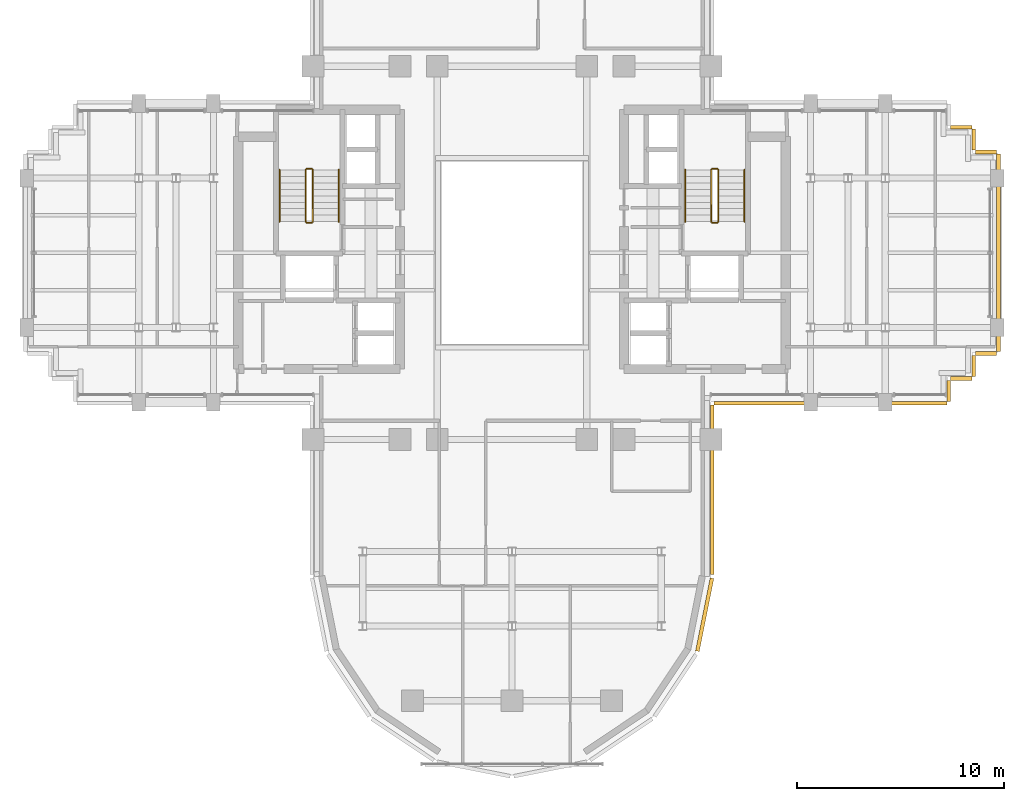
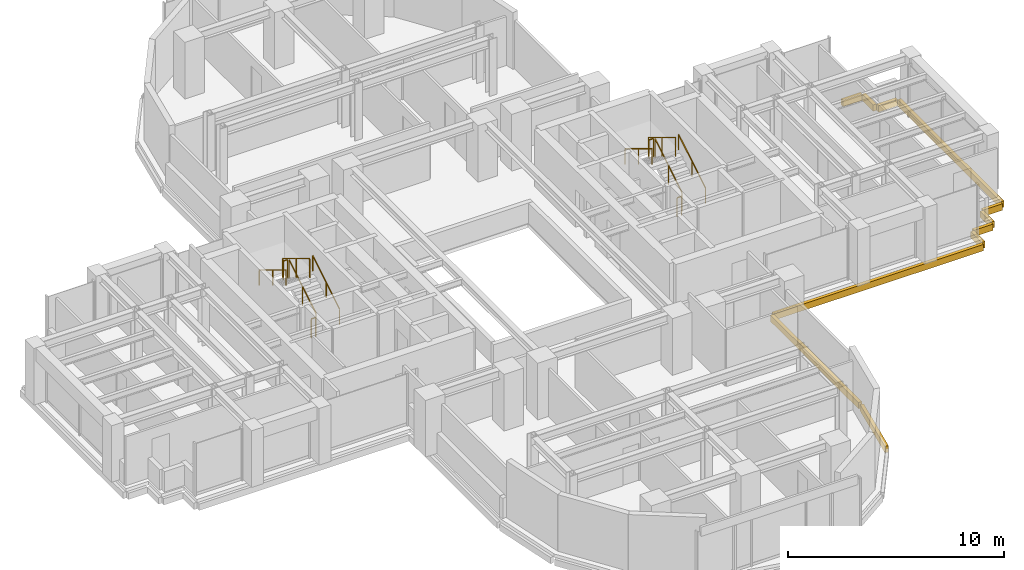
# One storey, part 13 of 14: 12 railings, 11 coverings.
"""IFC4 building model written with IfcOpenShell, lengths in metres."""

from ifc_helpers import new_model, si_unit, direction, frame, origin, origin_2d, place, context, subcontext, project, spatial, rectangle, extrude, source, transform, mapped, material, layer, layer_set, type_object, element, save


model = new_model("IFC4")

# Units and contexts
model_context = context("Model", 3, precision=1e-05, world=origin(), true_north=direction((0.0, 1.0)))
body_context = subcontext(model_context, "Body", "Model", "MODEL_VIEW")
ifc_project = project(units=[si_unit("LENGTHUNIT", "METRE"), si_unit("AREAUNIT", "SQUARE_METRE"), si_unit("VOLUMEUNIT", "CUBIC_METRE"), si_unit("PLANEANGLEUNIT", "RADIAN"), si_unit("MASSUNIT", "GRAM", prefix="KILO")], contexts=[model_context])

# Site, building, storey
site_placement = place(None, origin())
site = spatial("IfcSite", under=ifc_project, at=site_placement, CompositionType="ELEMENT")
building_placement = place(site_placement, origin())
building = spatial("IfcBuilding", under=site, at=building_placement, Name="Keilestroom Media Tower", CompositionType="ELEMENT")
storey_placement = place(building_placement, frame((0.0, 0.0, 124.39990234375)))
storey = spatial("IfcBuildingStorey", under=building, at=storey_placement, Name="L33", CompositionType="ELEMENT", Elevation=124.39990234375)

# Railings
ifc_material_1 = material(Name="Brushed Stainless Steel 1.4301", Category="steel")
railing_type_1 = type_object("IfcRailingType", Name="Stair-Pitch-Handrail-920", PredefinedType="HANDRAIL", material=ifc_material_1)
railing_1_placement = place(storey_placement, frame((-8.35009765625, 1.5, 0.18896484375)))
element("IfcRailing", 1, at=railing_1_placement, inside=storey, type_object=railing_type_1, Name="L33 ST-1 stair handrail 1", PredefinedType="HANDRAIL", context=body_context, shape_type="SweptSolid", body=[
    extrude(rectangle(XDim=0.048095703125, YDim=0.048095703125, at=origin_2d()), frame((0.0, 0.0, 0.8759765625), z_axis=(0.0, 0.855433747314, 0.517912255074), x_axis=(-1.0, 0.0, 0.0)), (0.0, 0.0, 1.0), 2.91796875),
    extrude(rectangle(XDim=0.0419921875, YDim=0.0419921875, at=origin_2d()), origin(), (0.0, 0.0, 1.0), 0.84375),
    extrude(rectangle(XDim=0.0419921875, YDim=0.0419921875, at=origin_2d()), frame((0.0, 1.248046875, 0.755615234375)), (0.0, 0.0, 1.0), 0.84375),
    extrude(rectangle(XDim=0.0419921875, YDim=0.0419921875, at=origin_2d()), frame((0.0, 2.49609375, 1.51123046875)), (0.0, 0.0, 1.0), 0.84375),
])
railing_2_placement = place(storey_placement, frame((-11.2099609375, 3.99609375, 1.888916015625)))
element("IfcRailing", 2, at=railing_2_placement, inside=storey, type_object=railing_type_1, Name="L33 ST-1 stair handrail 2", PredefinedType="HANDRAIL", context=body_context, shape_type="SweptSolid", body=[
    extrude(rectangle(XDim=0.048095703125, YDim=0.048095703125, at=origin_2d()), frame((0.0, 0.0, 0.8759765625), z_axis=(0.0, -0.855433747314, 0.517912255074), x_axis=(1.0, 0.0, 0.0)), (0.0, 0.0, 1.0), 2.91796875),
    extrude(rectangle(XDim=0.0419921875, YDim=0.0419921875, at=origin_2d()), origin(), (0.0, 0.0, 1.0), 0.84375),
    extrude(rectangle(XDim=0.0419921875, YDim=0.0419921875, at=origin_2d()), frame((0.0, -1.248046875, 0.755615234375)), (0.0, 0.0, 1.0), 0.84375),
    extrude(rectangle(XDim=0.0419921875, YDim=0.0419921875, at=origin_2d()), frame((0.0, -2.49609375, 1.51123046875)), (0.0, 0.0, 1.0), 0.84375),
])
railing_3_placement = place(storey_placement, frame((11.2099609375, 1.5, 0.18896484375)))
element("IfcRailing", 3, at=railing_3_placement, inside=storey, type_object=railing_type_1, Name="L33 ST-2 stair handrail 1", PredefinedType="HANDRAIL", context=body_context, shape_type="SweptSolid", body=[
    extrude(rectangle(XDim=0.048095703125, YDim=0.048095703125, at=origin_2d()), frame((0.0, 0.0, 0.8759765625), z_axis=(0.0, 0.855433747314, 0.517912255074), x_axis=(-1.0, 0.0, 0.0)), (0.0, 0.0, 1.0), 2.91796875),
    extrude(rectangle(XDim=0.0419921875, YDim=0.0419921875, at=origin_2d()), origin(), (0.0, 0.0, 1.0), 0.84375),
    extrude(rectangle(XDim=0.0419921875, YDim=0.0419921875, at=origin_2d()), frame((0.0, 1.248046875, 0.755615234375)), (0.0, 0.0, 1.0), 0.84375),
    extrude(rectangle(XDim=0.0419921875, YDim=0.0419921875, at=origin_2d()), frame((0.0, 2.49609375, 1.51123046875)), (0.0, 0.0, 1.0), 0.84375),
])
railing_4_placement = place(storey_placement, frame((8.35009765625, 3.99609375, 1.888916015625)))
element("IfcRailing", 4, at=railing_4_placement, inside=storey, type_object=railing_type_1, Name="L33 ST-2 stair handrail 2", PredefinedType="HANDRAIL", context=body_context, shape_type="SweptSolid", body=[
    extrude(rectangle(XDim=0.048095703125, YDim=0.048095703125, at=origin_2d()), frame((0.0, 0.0, 0.8759765625), z_axis=(0.0, -0.855433747314, 0.517912255074), x_axis=(1.0, 0.0, 0.0)), (0.0, 0.0, 1.0), 2.91796875),
    extrude(rectangle(XDim=0.0419921875, YDim=0.0419921875, at=origin_2d()), origin(), (0.0, 0.0, 1.0), 0.84375),
    extrude(rectangle(XDim=0.0419921875, YDim=0.0419921875, at=origin_2d()), frame((0.0, -1.248046875, 0.755615234375)), (0.0, 0.0, 1.0), 0.84375),
    extrude(rectangle(XDim=0.0419921875, YDim=0.0419921875, at=origin_2d()), frame((0.0, -2.49609375, 1.51123046875)), (0.0, 0.0, 1.0), 0.84375),
])
ifc_material_2 = material(Name="Painted Steel Balustrade", Category="steel")
railing_type_2 = type_object("IfcRailingType", Name="Stair-Well-And-Landing-Guard-1100", PredefinedType="GUARDRAIL", material=ifc_material_2)
railing_5_placement = place(storey_placement, frame((-9.610107421875, 1.5, 0.18896484375)))
element("IfcRailing", 5, at=railing_5_placement, inside=storey, type_object=railing_type_2, Name="L33 ST-1 stair guard 1", PredefinedType="GUARDRAIL", context=body_context, shape_type="SweptSolid", body=[
    extrude(rectangle(XDim=0.048095703125, YDim=0.048095703125, at=origin_2d()), frame((0.0, 0.0, 1.076171875), z_axis=(0.0, 0.855433747314, 0.517912255074), x_axis=(-1.0, 0.0, 0.0)), (0.0, 0.0, 1.0), 2.91796875),
    extrude(rectangle(XDim=0.0419921875, YDim=0.0419921875, at=origin_2d()), origin(), (0.0, 0.0, 1.0), 1.0439453125),
    extrude(rectangle(XDim=0.0419921875, YDim=0.0419921875, at=origin_2d()), frame((0.0, 1.248046875, 0.755615234375)), (0.0, 0.0, 1.0), 1.0439453125),
    extrude(rectangle(XDim=0.0419921875, YDim=0.0419921875, at=origin_2d()), frame((0.0, 2.49609375, 1.51123046875)), (0.0, 0.0, 1.0), 1.0439453125),
])
railing_6_placement = place(storey_placement, frame((-9.659912109375, 4.0458984375, 1.7001953125)))
element("IfcRailing", 6, at=railing_6_placement, inside=storey, type_object=railing_type_2, Name="L33 ST-1 stair guard 2", PredefinedType="GUARDRAIL", context=body_context, shape_type="SweptSolid", body=[
    extrude(rectangle(XDim=0.048095703125, YDim=0.048095703125, at=origin_2d()), frame((0.0, 0.0, 1.076171875), z_axis=(-1.0, 0.0, 0.0), x_axis=(0.0, -1.0, 0.0)), (0.0, 0.0, 1.0), 0.239990234375),
    extrude(rectangle(XDim=0.0419921875, YDim=0.0419921875, at=origin_2d()), origin(), (0.0, 0.0, 1.0), 1.0439453125),
    extrude(rectangle(XDim=0.0419921875, YDim=0.0419921875, at=origin_2d()), frame((-0.239990234375, 0.0, 0.0)), (0.0, 0.0, 1.0), 1.0439453125),
])
railing_7_placement = place(storey_placement, frame((-9.949951171875, 3.99609375, 1.888916015625)))
element("IfcRailing", 7, at=railing_7_placement, inside=storey, type_object=railing_type_2, Name="L33 ST-1 stair guard 3", PredefinedType="GUARDRAIL", context=body_context, shape_type="SweptSolid", body=[
    extrude(rectangle(XDim=0.048095703125, YDim=0.048095703125, at=origin_2d()), frame((0.0, 0.0, 1.076171875), z_axis=(0.0, -0.855433747314, 0.517912255074), x_axis=(1.0, 0.0, 0.0)), (0.0, 0.0, 1.0), 2.91796875),
    extrude(rectangle(XDim=0.0419921875, YDim=0.0419921875, at=origin_2d()), origin(), (0.0, 0.0, 1.0), 1.0439453125),
    extrude(rectangle(XDim=0.0419921875, YDim=0.0419921875, at=origin_2d()), frame((0.0, -1.248046875, 0.755615234375)), (0.0, 0.0, 1.0), 1.0439453125),
    extrude(rectangle(XDim=0.0419921875, YDim=0.0419921875, at=origin_2d()), frame((0.0, -2.49609375, 1.51123046875)), (0.0, 0.0, 1.0), 1.0439453125),
])
railing_8_placement = place(storey_placement, frame((-9.659912109375, 1.449951171875, 0.0)))
element("IfcRailing", 8, at=railing_8_placement, inside=storey, type_object=railing_type_2, Name="L33 ST-1 stair guard 4", PredefinedType="GUARDRAIL", context=body_context, shape_type="SweptSolid", body=[
    extrude(rectangle(XDim=0.048095703125, YDim=0.048095703125, at=origin_2d()), frame((0.0, 0.0, 1.076171875), z_axis=(-1.0, 0.0, 0.0), x_axis=(0.0, -1.0, 0.0)), (0.0, 0.0, 1.0), 0.239990234375),
    extrude(rectangle(XDim=0.0419921875, YDim=0.0419921875, at=origin_2d()), origin(), (0.0, 0.0, 1.0), 1.0439453125),
    extrude(rectangle(XDim=0.0419921875, YDim=0.0419921875, at=origin_2d()), frame((-0.239990234375, 0.0, 0.0)), (0.0, 0.0, 1.0), 1.0439453125),
])
railing_9_placement = place(storey_placement, frame((9.949951171875, 1.5, 0.18896484375)))
element("IfcRailing", 9, at=railing_9_placement, inside=storey, type_object=railing_type_2, Name="L33 ST-2 stair guard 1", PredefinedType="GUARDRAIL", context=body_context, shape_type="SweptSolid", body=[
    extrude(rectangle(XDim=0.048095703125, YDim=0.048095703125, at=origin_2d()), frame((0.0, 0.0, 1.076171875), z_axis=(0.0, 0.855433747314, 0.517912255074), x_axis=(-1.0, 0.0, 0.0)), (0.0, 0.0, 1.0), 2.91796875),
    extrude(rectangle(XDim=0.0419921875, YDim=0.0419921875, at=origin_2d()), origin(), (0.0, 0.0, 1.0), 1.0439453125),
    extrude(rectangle(XDim=0.0419921875, YDim=0.0419921875, at=origin_2d()), frame((0.0, 1.248046875, 0.755615234375)), (0.0, 0.0, 1.0), 1.0439453125),
    extrude(rectangle(XDim=0.0419921875, YDim=0.0419921875, at=origin_2d()), frame((0.0, 2.49609375, 1.51123046875)), (0.0, 0.0, 1.0), 1.0439453125),
])
railing_10_placement = place(storey_placement, frame((9.89990234375, 4.0458984375, 1.7001953125)))
element("IfcRailing", 10, at=railing_10_placement, inside=storey, type_object=railing_type_2, Name="L33 ST-2 stair guard 2", PredefinedType="GUARDRAIL", context=body_context, shape_type="SweptSolid", body=[
    extrude(rectangle(XDim=0.048095703125, YDim=0.048095703125, at=origin_2d()), frame((0.0, 0.0, 1.076171875), z_axis=(-1.0, 0.0, 0.0), x_axis=(0.0, -1.0, 0.0)), (0.0, 0.0, 1.0), 0.239990234375),
    extrude(rectangle(XDim=0.0419921875, YDim=0.0419921875, at=origin_2d()), origin(), (0.0, 0.0, 1.0), 1.0439453125),
    extrude(rectangle(XDim=0.0419921875, YDim=0.0419921875, at=origin_2d()), frame((-0.239990234375, 0.0, 0.0)), (0.0, 0.0, 1.0), 1.0439453125),
])
railing_11_placement = place(storey_placement, frame((9.610107421875, 3.99609375, 1.888916015625)))
element("IfcRailing", 11, at=railing_11_placement, inside=storey, type_object=railing_type_2, Name="L33 ST-2 stair guard 3", PredefinedType="GUARDRAIL", context=body_context, shape_type="SweptSolid", body=[
    extrude(rectangle(XDim=0.048095703125, YDim=0.048095703125, at=origin_2d()), frame((0.0, 0.0, 1.076171875), z_axis=(0.0, -0.855433747314, 0.517912255074), x_axis=(1.0, 0.0, 0.0)), (0.0, 0.0, 1.0), 2.91796875),
    extrude(rectangle(XDim=0.0419921875, YDim=0.0419921875, at=origin_2d()), origin(), (0.0, 0.0, 1.0), 1.0439453125),
    extrude(rectangle(XDim=0.0419921875, YDim=0.0419921875, at=origin_2d()), frame((0.0, -1.248046875, 0.755615234375)), (0.0, 0.0, 1.0), 1.0439453125),
    extrude(rectangle(XDim=0.0419921875, YDim=0.0419921875, at=origin_2d()), frame((0.0, -2.49609375, 1.51123046875)), (0.0, 0.0, 1.0), 1.0439453125),
])
railing_12_placement = place(storey_placement, frame((9.89990234375, 1.449951171875, 0.0)))
element("IfcRailing", 12, at=railing_12_placement, inside=storey, type_object=railing_type_2, Name="L33 ST-2 stair guard 4", PredefinedType="GUARDRAIL", context=body_context, shape_type="SweptSolid", body=[
    extrude(rectangle(XDim=0.048095703125, YDim=0.048095703125, at=origin_2d()), frame((0.0, 0.0, 1.076171875), z_axis=(-1.0, 0.0, 0.0), x_axis=(0.0, -1.0, 0.0)), (0.0, 0.0, 1.0), 0.239990234375),
    extrude(rectangle(XDim=0.0419921875, YDim=0.0419921875, at=origin_2d()), origin(), (0.0, 0.0, 1.0), 1.0439453125),
    extrude(rectangle(XDim=0.0419921875, YDim=0.0419921875, at=origin_2d()), frame((-0.239990234375, 0.0, 0.0)), (0.0, 0.0, 1.0), 1.0439453125),
])

# Coverings
ifc_material_3 = material(Name="Precast concrete C40/50", Category="concrete")
ifc_layer = layer(ifc_material_3, 0.1201171875)
ifc_layer_set = layer_set([ifc_layer], Name="Precast concrete C40/50")
covering_type = type_object("IfcCoveringType", Name="Exterior-Precast-Spandrel-Cladding-Panel-120", PredefinedType="CLADDING", material=ifc_layer_set)
shared_shape_1 = source(origin(), body_context, "Body", "SweptSolid", [
    extrude(rectangle(XDim=1.02001953125, YDim=0.179931640625, at=origin_2d()), origin(), (0.0, 0.0, 1.0), 0.360107421875),
])
for number, where, z_axis, x_axis, name in (
    (13, (22.860107421875, -4.860107421875, -0.5400390625), (0.0, 0.0, 1.0), (-1.0, 0.0, 0.0), "L33 Precast Slab-Edge Fascia Cornice 01"),
    (14, (22.260009765625, -5.4599609375, -0.5400390625), (0.0, 0.0, 1.0), (0.0, -1.0, 0.0), "L33 Precast Slab-Edge Fascia Cornice 02"),
    (15, (21.659912109375, -6.06005859375, -0.5400390625), (0.0, 0.0, 1.0), (-1.0, 0.0, 0.0), "L33 Precast Slab-Edge Fascia Cornice 03"),
    (16, (21.06005859375, -6.659912109375, -0.5400390625), (0.0, 0.0, 1.0), (0.0, -1.0, 0.0), "L33 Precast Slab-Edge Fascia Cornice 04"),
    (17, (21.659912109375, 6.06005859375, -0.5400390625), (0.0, 0.0, 1.0), (1.0, 0.0, 0.0), "L33 Precast Slab-Edge Fascia Cornice 39"),
    (18, (22.260009765625, 5.4599609375, -0.5400390625), (0.0, 0.0, 1.0), (0.0, -1.0, 0.0), "L33 Precast Slab-Edge Fascia Cornice 40"),
    (19, (22.860107421875, 4.860107421875, -0.5400390625), (0.0, 0.0, 1.0), (1.0, 0.0, 0.0), "L33 Precast Slab-Edge Fascia Cornice 41"),
):
    element("IfcCovering", number, at=place(storey_placement, frame(where, z_axis=z_axis, x_axis=x_axis)), inside=storey, type_object=covering_type, Name=name, PredefinedType="CLADDING", context=body_context, shape_type="MappedRepresentation", body=[
        mapped(shared_shape_1, transform((0.0, 0.0, 0.0), x_axis=(1.0, 0.0, 0.0), y_axis=(0.0, 1.0, 0.0), z_axis=(0.0, 0.0, 1.0), scale=1.0)),
    ])
shared_shape_2 = source(origin(), body_context, "Body", "SweptSolid", [
    extrude(rectangle(XDim=8.166015625, YDim=0.179931640625, at=origin_2d()), origin(), (0.0, 0.0, 1.0), 0.360107421875),
])
covering_1_placement = place(storey_placement, frame((9.659912109375, -11.43310546875, -0.5400390625), z_axis=(0.0, 0.0, 1.0), x_axis=(0.0, -1.0, 0.0)))
element("IfcCovering", 20, at=covering_1_placement, inside=storey, type_object=covering_type, Name="L33 Precast Slab-Edge Fascia Cornice 06", PredefinedType="CLADDING", context=body_context, shape_type="MappedRepresentation", body=[
    mapped(shared_shape_2, transform((0.0, 0.0, 0.0), x_axis=(1.0, 0.0, 0.0), y_axis=(0.0, 1.0, 0.0), z_axis=(0.0, 0.0, 1.0), scale=1.0)),
])
shared_shape_3 = source(origin(), body_context, "Body", "SweptSolid", [
    extrude(rectangle(XDim=3.58349609375, YDim=0.179931640625, at=origin_2d()), origin(), (0.0, 0.0, 1.0), 0.360107421875),
])
covering_2_placement = place(storey_placement, frame((9.29296875, -17.45166015625, -0.5400390625), z_axis=(0.0, 0.0, 1.0), x_axis=(-0.195098880975, -0.980783577882, 0.0)))
element("IfcCovering", 21, at=covering_2_placement, inside=storey, type_object=covering_type, Name="L33 Precast Slab-Edge Fascia Cornice 07", PredefinedType="CLADDING", context=body_context, shape_type="MappedRepresentation", body=[
    mapped(shared_shape_3, transform((0.0, 0.0, 0.0), x_axis=(1.0, 0.0, 0.0), y_axis=(0.0, 1.0, 0.0), z_axis=(0.0, 0.0, 1.0), scale=1.0)),
])
shared_shape_4 = source(origin(), body_context, "Body", "SweptSolid", [
    extrude(rectangle(XDim=9.5400390625, YDim=0.179931640625, at=origin_2d()), origin(), (0.0, 0.0, 1.0), 0.360107421875),
])
covering_3_placement = place(storey_placement, frame((23.4599609375, 0.0, -0.5400390625), z_axis=(0.0, 0.0, 1.0), x_axis=(0.0, -1.0, 0.0)))
element("IfcCovering", 22, at=covering_3_placement, inside=storey, type_object=covering_type, Name="L33 Precast Slab-Edge Fascia Cornice 42", PredefinedType="CLADDING", context=body_context, shape_type="MappedRepresentation", body=[
    mapped(shared_shape_4, transform((0.0, 0.0, 0.0), x_axis=(1.0, 0.0, 0.0), y_axis=(0.0, 1.0, 0.0), z_axis=(0.0, 0.0, 1.0), scale=1.0)),
])
shared_shape_5 = source(origin(), body_context, "Body", "SweptSolid", [
    extrude(rectangle(XDim=11.219970703125, YDim=0.179931640625, at=origin_2d()), origin(), (0.0, 0.0, 1.0), 0.360107421875),
])
covering_4_placement = place(storey_placement, frame((15.360107421875, -7.260009765625, -0.5400390625), z_axis=(0.0, 0.0, 1.0), x_axis=(-1.0, 0.0, 0.0)))
element("IfcCovering", 23, at=covering_4_placement, inside=storey, type_object=covering_type, Name="L33 Precast Slab-Edge Fascia Cornice 05", PredefinedType="CLADDING", context=body_context, shape_type="MappedRepresentation", body=[
    mapped(shared_shape_5, transform((0.0, 0.0, 0.0), x_axis=(1.0, 0.0, 0.0), y_axis=(0.0, 1.0, 0.0), z_axis=(0.0, 0.0, 1.0), scale=1.0)),
])

save(model, "model.ifc")
